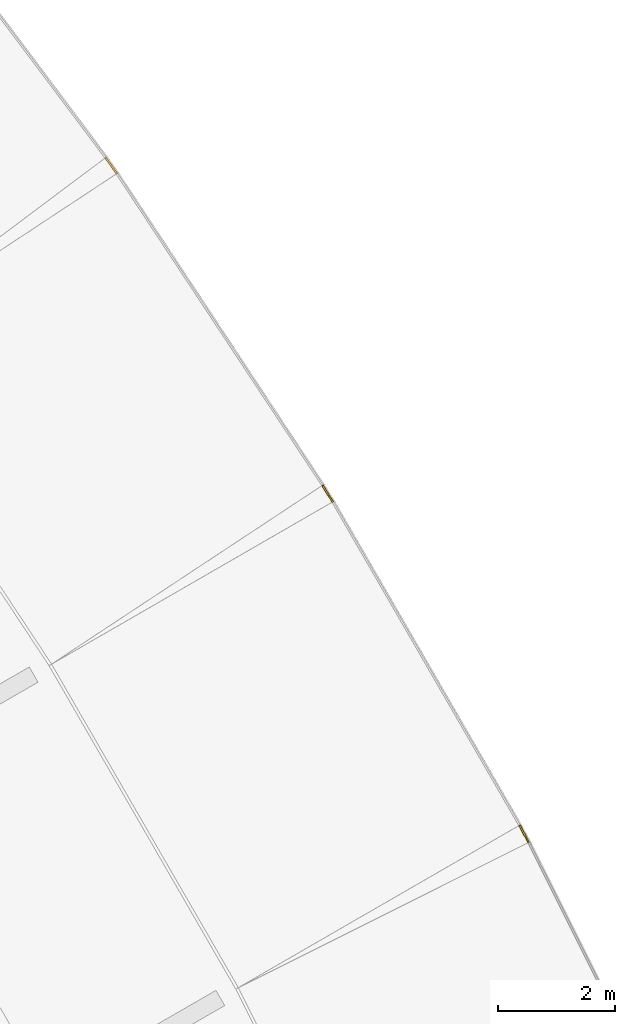
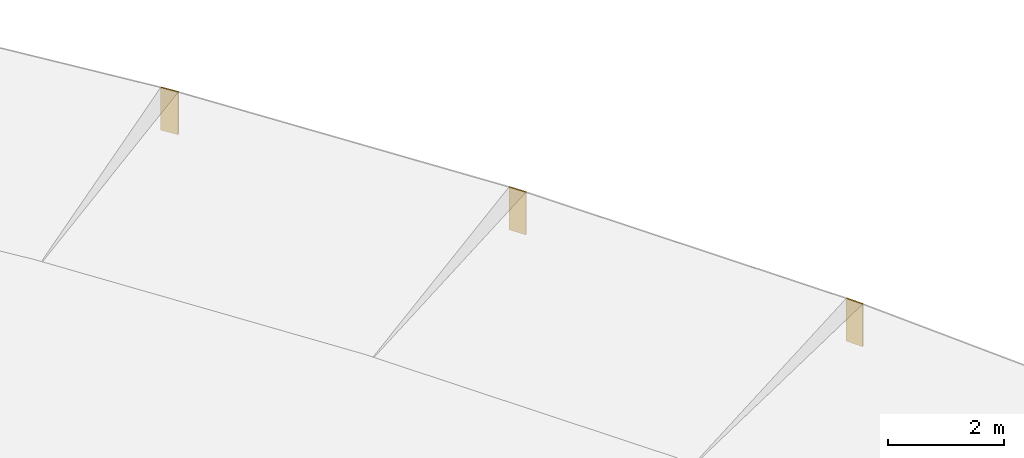
# One storey, part 9 of 9: 3 coverings.
"""IFC4 building model written with IfcOpenShell, lengths in metres."""

from ifc_helpers import new_model, si_unit, direction, frame, origin, origin_2d, place, context, subcontext, project, spatial, rectangle, extrude, material, layer, layer_set, type_object, element, save


model = new_model("IFC4")

# Units and contexts
model_context = context("Model", 3, precision=1e-05, world=origin(), true_north=direction((0.0, 1.0)))
body_context = subcontext(model_context, "Body", "Model", "MODEL_VIEW")
ifc_project = project(units=[si_unit("LENGTHUNIT", "METRE"), si_unit("AREAUNIT", "SQUARE_METRE"), si_unit("VOLUMEUNIT", "CUBIC_METRE"), si_unit("PLANEANGLEUNIT", "RADIAN"), si_unit("MASSUNIT", "GRAM", prefix="KILO")], contexts=[model_context])

# Site, building, storey
site_placement = place(None, origin())
site = spatial("IfcSite", under=ifc_project, at=site_placement, CompositionType="ELEMENT")
building_placement = place(site_placement, origin())
building = spatial("IfcBuilding", under=site, at=building_placement, Name="Mestral Congress Tower", CompositionType="ELEMENT")
storey_placement = place(building_placement, frame((0.0, 0.0, 348.60009765625)))
storey = spatial("IfcBuildingStorey", under=building, at=storey_placement, Name="L81", CompositionType="ELEMENT", Elevation=348.60009765625)

# Coverings
ifc_material = material(Name="Larch timber", Category="wood")
ifc_layer = layer(ifc_material, 0.030029296875)
ifc_layer_set = layer_set([ifc_layer], Name="Larch timber")
covering_type = type_object("IfcCoveringType", Name="Crown canopy timber fascia 30", PredefinedType="CLADDING", material=ifc_layer_set)
for number, where, z_axis, x_axis, name in (
    (1, (22.69775390625, 9.216796875, 0.320068359375), (0.0, 0.0, 1.0), (-0.473945287575, 0.880554293832, 0.0), "Canopy fascia 23"),
    (2, (19.330810546875, 15.048583984375, 0.320068359375), (0.0, 0.0, 1.0), (-0.525606774486, 0.850727640678, 0.0), "Canopy fascia 25"),
):
    element("IfcCovering", number, at=place(storey_placement, frame(where, z_axis=z_axis, x_axis=x_axis)), inside=storey, type_object=covering_type, Name=name, PredefinedType="CLADDING", context=body_context, shape_type="SweptSolid", body=[
        extrude(rectangle(XDim=0.333984375, YDim=0.030029296875, at=origin_2d()), origin(), (0.0, 0.0, 1.0), 0.89990234375),
    ])
covering_placement = place(storey_placement, frame((15.622314453125, 20.6689453125, 0.320068359375), z_axis=(0.0, 0.0, 1.0), x_axis=(-0.575399296929, 0.81787263623, 0.0)))
element("IfcCovering", 3, at=covering_placement, inside=storey, type_object=covering_type, Name="Canopy fascia 27", PredefinedType="CLADDING", context=body_context, shape_type="SweptSolid", body=[
    extrude(rectangle(XDim=0.334228515625, YDim=0.030029296875, at=origin_2d()), origin(), (0.0, 0.0, 1.0), 0.89990234375),
])

save(model, "model.ifc")
